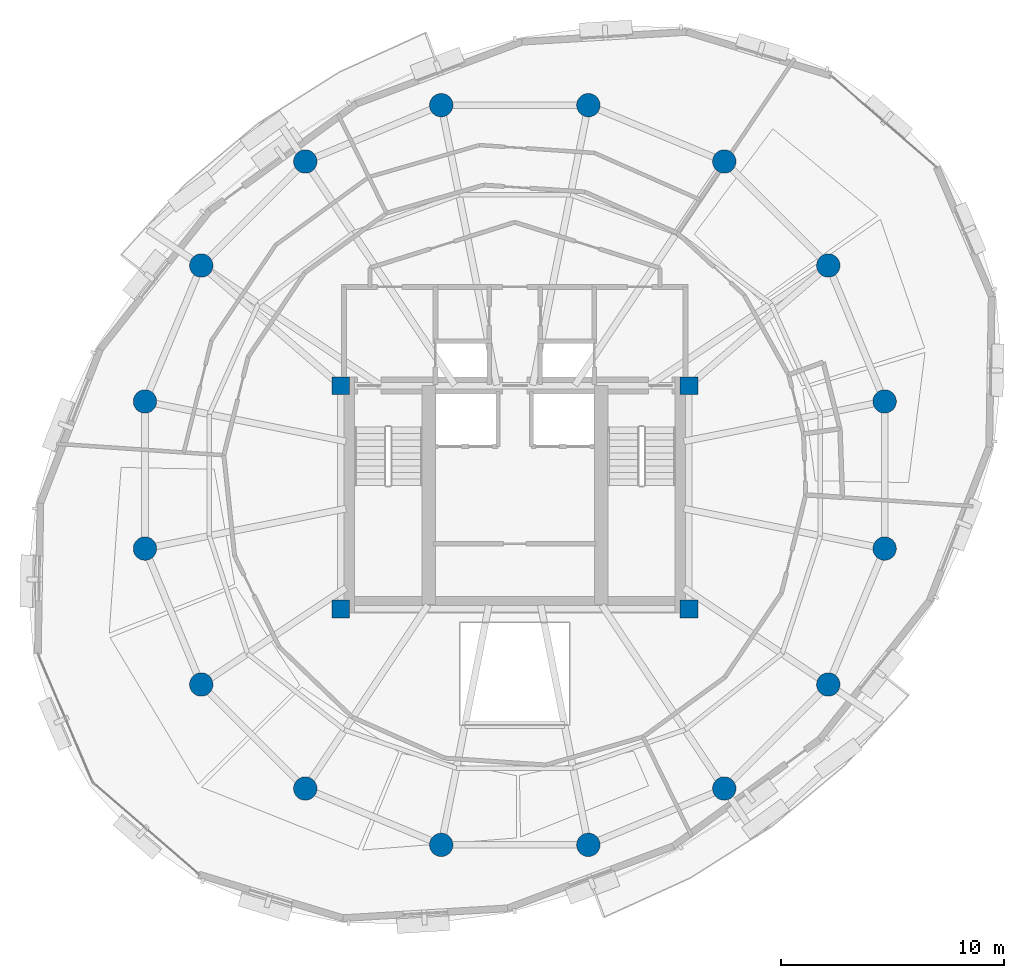
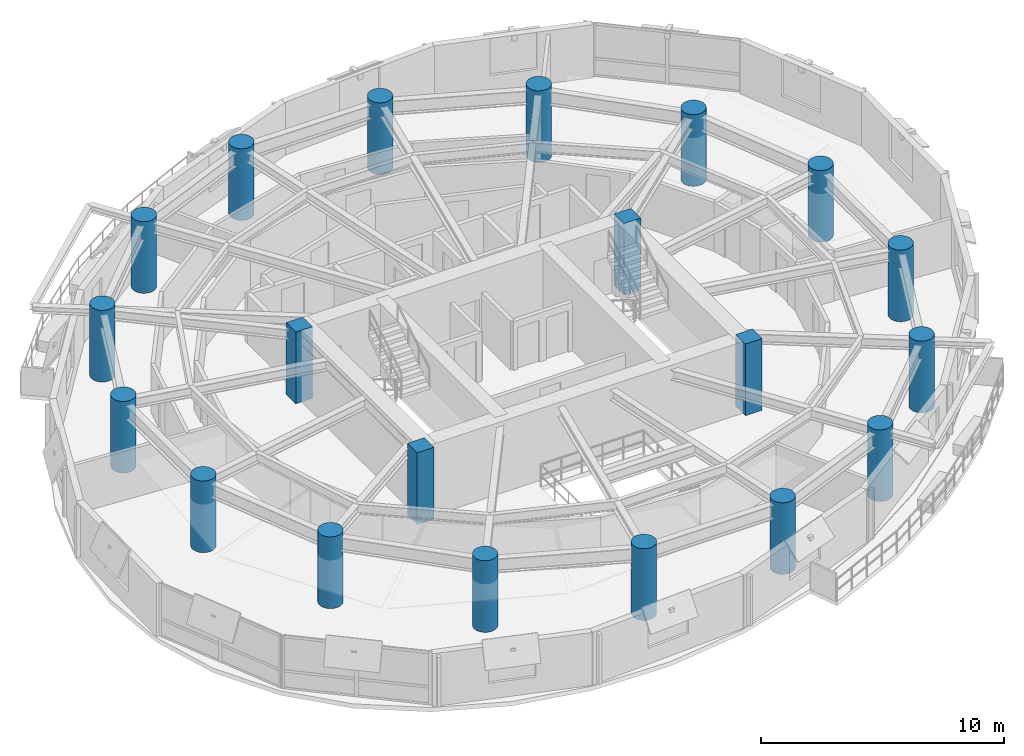
# One storey, part 1 of 12: 20 columns.
"""IFC4 building model written with IfcOpenShell, lengths in metres."""

from ifc_helpers import new_model, si_unit, direction, frame, origin, origin_2d, place, context, subcontext, project, spatial, rectangle, circle, extrude, material, material_profile, profile_set, type_object, element, save


model = new_model("IFC4")

# Units and contexts
model_context = context("Model", 3, precision=1e-05, world=origin(), true_north=direction((0.0, 1.0)))
body_context = subcontext(model_context, "Body", "Model", "MODEL_VIEW")
ifc_project = project(units=[si_unit("LENGTHUNIT", "METRE"), si_unit("AREAUNIT", "SQUARE_METRE"), si_unit("VOLUMEUNIT", "CUBIC_METRE"), si_unit("PLANEANGLEUNIT", "RADIAN"), si_unit("MASSUNIT", "GRAM", prefix="KILO"), si_unit("THERMODYNAMICTEMPERATUREUNIT", "KELVIN"), si_unit("POWERUNIT", "WATT")], contexts=[model_context])

# Site, building, storey
site_placement = place(None, origin())
site = spatial("IfcSite", under=ifc_project, at=site_placement, CompositionType="ELEMENT")
building_placement = place(site_placement, origin())
building = spatial("IfcBuilding", under=site, at=building_placement, Name="Ocrelia Relay Tower", CompositionType="ELEMENT")
storey_placement = place(building_placement, frame((0.0, 0.0, 184.39990234375)))
storey = spatial("IfcBuildingStorey", under=building, at=storey_placement, Name="L44", CompositionType="ELEMENT", Elevation=184.39990234375)

# Columns
ifc_material = material(Name="Concrete C60/75", Category="concrete")
ifc_material_profile_1 = material_profile(ifc_material, circle(Radius=0.52490234375, at=origin_2d()), Name="RC-CIR-1050")
ifc_profile_set_1 = profile_set([ifc_material_profile_1], Name="Concrete C60/75")
column_type_1 = type_object("IfcColumnType", Name="COL-CT-1050", PredefinedType="COLUMN", material=ifc_profile_set_1)
for number, where, z_axis, x_axis, name in (
    (1, (50.5751953125, 29.297119140625, 0.0), (0.0, 0.0, 1.0), (1.0, 0.0, 0.0), "L44 Perimeter Ring Column C01"),
    (2, (48.0517578125, 35.38916015625, 0.0), (0.0, 0.0, 1.0), (1.0, 0.0, 0.0), "L44 Perimeter Ring Column C02"),
    (3, (43.38916015625, 40.0517578125, 0.0), (0.0, 0.0, 1.0), (1.0, 0.0, 0.0), "L44 Perimeter Ring Column C03"),
    (4, (37.297119140625, 42.5751953125, 0.0), (0.0, 0.0, 1.0), (1.0, 0.0, 0.0), "L44 Perimeter Ring Column C04"),
    (5, (30.702880859375, 42.5751953125, 0.0), (0.0, 0.0, 1.0), (1.0, 0.0, 0.0), "L44 Perimeter Ring Column C05"),
    (6, (24.61083984375, 40.0517578125, 0.0), (0.0, 0.0, 1.0), (1.0, 0.0, 0.0), "L44 Perimeter Ring Column C06"),
    (7, (19.9482421875, 35.38916015625, 0.0), (0.0, 0.0, 1.0), (1.0, 0.0, 0.0), "L44 Perimeter Ring Column C07"),
    (8, (17.4248046875, 29.297119140625, 0.0), (0.0, 0.0, 1.0), (1.0, 0.0, 0.0), "L44 Perimeter Ring Column C08"),
    (9, (17.4248046875, 22.702880859375, 0.0), (0.0, 0.0, 1.0), (1.0, 0.0, 0.0), "L44 Perimeter Ring Column C09"),
    (10, (19.9482421875, 16.61083984375, 0.0), (0.0, 0.0, 1.0), (1.0, 0.0, 0.0), "L44 Perimeter Ring Column C10"),
    (11, (24.61083984375, 11.9482421875, 0.0), (0.0, 0.0, 1.0), (1.0, 0.0, 0.0), "L44 Perimeter Ring Column C11"),
    (12, (30.702880859375, 9.4248046875, 0.0), (0.0, 0.0, 1.0), (1.0, 0.0, 0.0), "L44 Perimeter Ring Column C12"),
    (13, (37.297119140625, 9.4248046875, 0.0), (0.0, 0.0, 1.0), (1.0, 0.0, 0.0), "L44 Perimeter Ring Column C13"),
    (14, (43.38916015625, 11.9482421875, 0.0), (0.0, 0.0, 1.0), (1.0, 0.0, 0.0), "L44 Perimeter Ring Column C14"),
    (15, (48.0517578125, 16.61083984375, 0.0), (0.0, 0.0, 1.0), (1.0, 0.0, 0.0), "L44 Perimeter Ring Column C15"),
    (16, (50.5751953125, 22.702880859375, 0.0), (0.0, 0.0, 1.0), (1.0, 0.0, 0.0), "L44 Perimeter Ring Column C16"),
):
    element("IfcColumn", number, at=place(storey_placement, frame(where, z_axis=z_axis, x_axis=x_axis)), inside=storey, type_object=column_type_1, Name=name, PredefinedType="COLUMN", context=body_context, shape_type="SweptSolid", body=[
        extrude(circle(Radius=0.52490234375, at=origin_2d()), origin(), (0.0, 0.0, 1.0), 3.60009765625),
    ])
ifc_material_profile_2 = material_profile(ifc_material, rectangle(XDim=0.800048828125, YDim=0.800048828125, at=origin_2d()), Name="RC-COL-800x800")
ifc_profile_set_2 = profile_set([ifc_material_profile_2], Name="Concrete C60/75")
column_type_2 = type_object("IfcColumnType", Name="COL-PILASTER-800", PredefinedType="PILASTER", material=ifc_profile_set_2)
for number, where, z_axis, x_axis, name in (
    (17, (26.199951171875, 20.0, 0.0), (0.0, 0.0, 1.0), (1.0, 0.0, 0.0), "L44 Core Corner Pilaster SW"),
    (18, (41.800048828125, 20.0, 0.0), (0.0, 0.0, 1.0), (1.0, 0.0, 0.0), "L44 Core Corner Pilaster SE"),
    (19, (26.199951171875, 30.0, 0.0), (0.0, 0.0, 1.0), (1.0, 0.0, 0.0), "L44 Core Corner Pilaster NW"),
    (20, (41.800048828125, 30.0, 0.0), (0.0, 0.0, 1.0), (1.0, 0.0, 0.0), "L44 Core Corner Pilaster NE"),
):
    element("IfcColumn", number, at=place(storey_placement, frame(where, z_axis=z_axis, x_axis=x_axis)), inside=storey, type_object=column_type_2, Name=name, PredefinedType="PILASTER", context=body_context, shape_type="SweptSolid", body=[
        extrude(rectangle(XDim=0.800048828125, YDim=0.800048828125, at=origin_2d()), origin(), (0.0, 0.0, 1.0), 3.60009765625),
    ])

save(model, "model.ifc")
